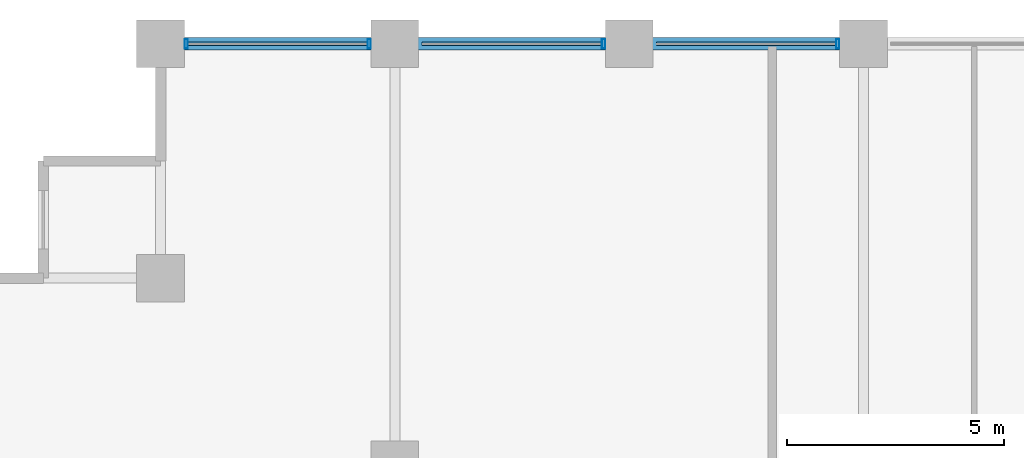
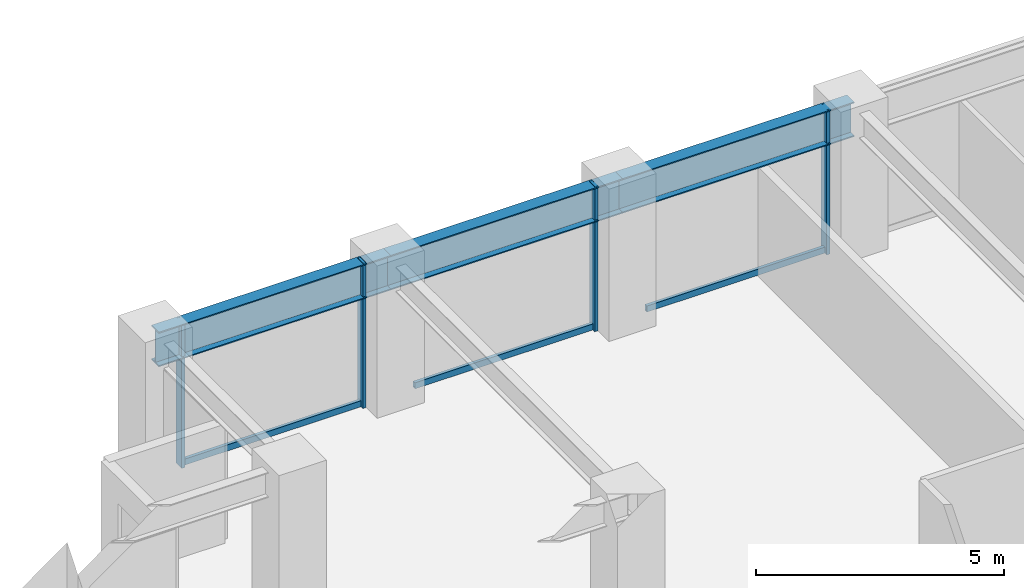
# One storey, part 13 of 26: 7 members, 3 beams, 1 element without a shape of its own.
"""IFC4 building model written with IfcOpenShell, lengths in metres."""

from ifc_helpers import new_model, si_unit, direction, frame, origin, origin_2d, place, context, subcontext, project, spatial, hollow_rectangle, i_section, extrude, material, layer, layer_set, material_profile, profile_set, type_object, element, aggregate, save


model = new_model("IFC4")

# Units and contexts
model_context = context("Model", 3, precision=1e-05, world=origin(), true_north=direction((0.0, 1.0)))
body_context = subcontext(model_context, "Body", "Model", "MODEL_VIEW")
ifc_project = project(units=[si_unit("LENGTHUNIT", "METRE"), si_unit("AREAUNIT", "SQUARE_METRE"), si_unit("VOLUMEUNIT", "CUBIC_METRE"), si_unit("PLANEANGLEUNIT", "RADIAN"), si_unit("MASSUNIT", "GRAM", prefix="KILO")], contexts=[model_context])

# Site, building, storey
site_placement = place(None, origin())
site = spatial("IfcSite", under=ifc_project, at=site_placement, CompositionType="ELEMENT")
building_placement = place(site_placement, origin())
building = spatial("IfcBuilding", under=site, at=building_placement, Name="Surkhivell Harbour Commons", CompositionType="ELEMENT")
storey_placement = place(building_placement, frame((0.0, 0.0, 102.0)))
storey = spatial("IfcBuildingStorey", under=building, at=storey_placement, Name="L26", CompositionType="ELEMENT", Elevation=102.0)

# Beams
ifc_material_1 = material(Name="Steel S460", Category="steel")
ifc_material_profile_1 = material_profile(ifc_material_1, i_section(OverallWidth=0.2939453125, OverallDepth=0.85107421875, WebThickness=0.01611328125, FlangeThickness=0.02685546875, at=origin_2d()), Name="UB838x292x226")
ifc_profile_set_1 = profile_set([ifc_material_profile_1], Name="Steel S460")
beam_type = type_object("IfcBeamType", Name="BM-SPN-838", PredefinedType="SPANDREL", material=ifc_profile_set_1)
beam_1_placement = place(storey_placement, frame((-27.0, 25.89990234375, 3.14453125), z_axis=(1.0, 0.0, 0.0), x_axis=(0.0, 1.0, 0.0)))
element("IfcBeam", 1, at=beam_1_placement, inside=storey, type_object=beam_type, Name="L26 Tube Spandrel (-27.0,25.9)", PredefinedType="SPANDREL", context=body_context, shape_type="SweptSolid", body=[
    extrude(i_section(OverallWidth=0.2939453125, OverallDepth=0.85107421875, WebThickness=0.01611328125, FlangeThickness=0.02685546875, at=origin_2d()), origin(), (0.0, 0.0, 1.0), 5.39990234375),
])
beam_2_placement = place(storey_placement, frame((-21.60009765625, 25.89990234375, 3.14453125), z_axis=(1.0, 0.0, 0.0), x_axis=(0.0, 1.0, 0.0)))
element("IfcBeam", 2, at=beam_2_placement, inside=storey, type_object=beam_type, Name="L26 Tube Spandrel (-21.6,25.9)", PredefinedType="SPANDREL", context=body_context, shape_type="SweptSolid", body=[
    extrude(i_section(OverallWidth=0.2939453125, OverallDepth=0.85107421875, WebThickness=0.01611328125, FlangeThickness=0.02685546875, at=origin_2d()), origin(), (0.0, 0.0, 1.0), 5.400146484375),
])
beam_3_placement = place(storey_placement, frame((-16.199951171875, 25.89990234375, 3.14453125), z_axis=(1.0, 0.0, 0.0), x_axis=(0.0, 1.0, 0.0)))
element("IfcBeam", 3, at=beam_3_placement, inside=storey, type_object=beam_type, Name="L26 Tube Spandrel (-16.2,25.9)", PredefinedType="SPANDREL", context=body_context, shape_type="SweptSolid", body=[
    extrude(i_section(OverallWidth=0.2939453125, OverallDepth=0.85107421875, WebThickness=0.01611328125, FlangeThickness=0.02685546875, at=origin_2d()), origin(), (0.0, 0.0, 1.0), 5.39990234375),
])

# Curtain wall, members
ifc_material_2 = material(Name="Anodised pale-metal aluminium and insulated glazing", Category="aluminium")
ifc_layer = layer(ifc_material_2, 0.205078125)
ifc_layer_set = layer_set([ifc_layer], Name="Anodised pale-metal aluminium and insulated glazing")
curtain_wall_type = type_object("IfcCurtainWallType", Name="CW-SYS-Z2", PredefinedType="NOTDEFINED", material=ifc_layer_set)
curtain_wall_placement = place(storey_placement, origin())
curtain_wall = element("IfcCurtainWall", 4, at=curtain_wall_placement, inside=storey, type_object=curtain_wall_type, Name="L26 Curtain Wall CW-L26-E07S2", PredefinedType="NOTDEFINED")
ifc_material_3 = material(Name="Anodised pale-metal aluminium alloy 6063-T6", Category="aluminium")
ifc_material_profile_2 = material_profile(ifc_material_3, hollow_rectangle(XDim=0.074951171875, YDim=0.219970703125, WallThickness=0.00390625, at=origin_2d()), Name="ALU-MULL-75x220")
ifc_profile_set_2 = profile_set([ifc_material_profile_2], Name="Anodised pale-metal aluminium alloy 6063-T6")
member_type_1 = type_object("IfcMemberType", Name="CWM-220", PredefinedType="MULLION", material=ifc_profile_set_2)
member_1_placement = place(storey_placement, frame((-11.389404296875, 25.89990234375, 0.0), z_axis=(0.0, 0.0, 1.0), x_axis=(-1.0, 0.0, 0.0)))
member_1 = element("IfcMember", 5, at=member_1_placement, type_object=member_type_1, Name="CW-Z2 mullion 2", PredefinedType="MULLION", context=body_context, shape_type="SweptSolid", body=[
    extrude(hollow_rectangle(XDim=0.074951171875, YDim=0.219970703125, WallThickness=0.00390625, at=origin_2d()), origin(), (0.0, 0.0, 1.0), 3.570068359375),
])
member_2_placement = place(storey_placement, frame((-16.78955078125, 25.89990234375, 0.0), z_axis=(0.0, 0.0, 1.0), x_axis=(-1.0, 0.0, 0.0)))
member_2 = element("IfcMember", 6, at=member_2_placement, type_object=member_type_1, Name="CW-Z2 mullion 3", PredefinedType="MULLION", context=body_context, shape_type="SweptSolid", body=[
    extrude(hollow_rectangle(XDim=0.074951171875, YDim=0.219970703125, WallThickness=0.00390625, at=origin_2d()), origin(), (0.0, 0.0, 1.0), 3.570068359375),
])
member_3_placement = place(storey_placement, frame((-22.189453125, 25.89990234375, 0.0), z_axis=(0.0, 0.0, 1.0), x_axis=(-1.0, 0.0, 0.0)))
member_3 = element("IfcMember", 7, at=member_3_placement, type_object=member_type_1, Name="CW-Z2 mullion 4", PredefinedType="MULLION", context=body_context, shape_type="SweptSolid", body=[
    extrude(hollow_rectangle(XDim=0.074951171875, YDim=0.219970703125, WallThickness=0.00390625, at=origin_2d()), origin(), (0.0, 0.0, 1.0), 3.570068359375),
])
member_4_placement = place(storey_placement, frame((-26.410400390625, 25.89990234375, 0.0), z_axis=(0.0, 0.0, 1.0), x_axis=(-1.0, 0.0, 0.0)))
member_4 = element("IfcMember", 8, at=member_4_placement, type_object=member_type_1, Name="CW-Z2 mullion 5", PredefinedType="MULLION", context=body_context, shape_type="SweptSolid", body=[
    extrude(hollow_rectangle(XDim=0.074951171875, YDim=0.219970703125, WallThickness=0.00390625, at=origin_2d()), origin(), (0.0, 0.0, 1.0), 3.570068359375),
])
ifc_material_profile_3 = material_profile(ifc_material_3, hollow_rectangle(XDim=0.074951171875, YDim=0.14990234375, WallThickness=0.00341796875, at=origin_2d()), Name="ALU-TRAN-75x150")
ifc_profile_set_3 = profile_set([ifc_material_profile_3], Name="Anodised pale-metal aluminium alloy 6063-T6")
member_type_2 = type_object("IfcMemberType", Name="CWT-150", PredefinedType="USERDEFINED", material=ifc_profile_set_3)
member_5_placement = place(storey_placement, frame((-11.427001953125, 25.89990234375, 0.074951171875), z_axis=(-1.0, 0.0, 0.0), x_axis=(0.0, -1.0, 0.0)))
member_5 = element("IfcMember", 9, at=member_5_placement, type_object=member_type_2, Name="CW-Z2 transom 2.1", ObjectType="TRANSOM", PredefinedType="USERDEFINED", context=body_context, shape_type="SweptSolid", body=[
    extrude(hollow_rectangle(XDim=0.074951171875, YDim=0.14990234375, WallThickness=0.00341796875, at=origin_2d()), origin(), (0.0, 0.0, 1.0), 4.14599609375),
])
member_6_placement = place(storey_placement, frame((-16.826904296875, 25.89990234375, 0.074951171875), z_axis=(-1.0, 0.0, 0.0), x_axis=(0.0, -1.0, 0.0)))
member_6 = element("IfcMember", 10, at=member_6_placement, type_object=member_type_2, Name="CW-Z2 transom 3.1", ObjectType="TRANSOM", PredefinedType="USERDEFINED", context=body_context, shape_type="SweptSolid", body=[
    extrude(hollow_rectangle(XDim=0.074951171875, YDim=0.14990234375, WallThickness=0.00341796875, at=origin_2d()), origin(), (0.0, 0.0, 1.0), 4.14599609375),
])
member_7_placement = place(storey_placement, frame((-22.22705078125, 25.89990234375, 0.074951171875), z_axis=(-1.0, 0.0, 0.0), x_axis=(0.0, -1.0, 0.0)))
member_7 = element("IfcMember", 11, at=member_7_placement, type_object=member_type_2, Name="CW-Z2 transom 4.1", ObjectType="TRANSOM", PredefinedType="USERDEFINED", context=body_context, shape_type="SweptSolid", body=[
    extrude(hollow_rectangle(XDim=0.074951171875, YDim=0.14990234375, WallThickness=0.00341796875, at=origin_2d()), origin(), (0.0, 0.0, 1.0), 4.14599609375),
])
aggregate(curtain_wall, [member_1, member_5, member_2, member_6, member_3, member_4, member_7])

save(model, "model.ifc")
